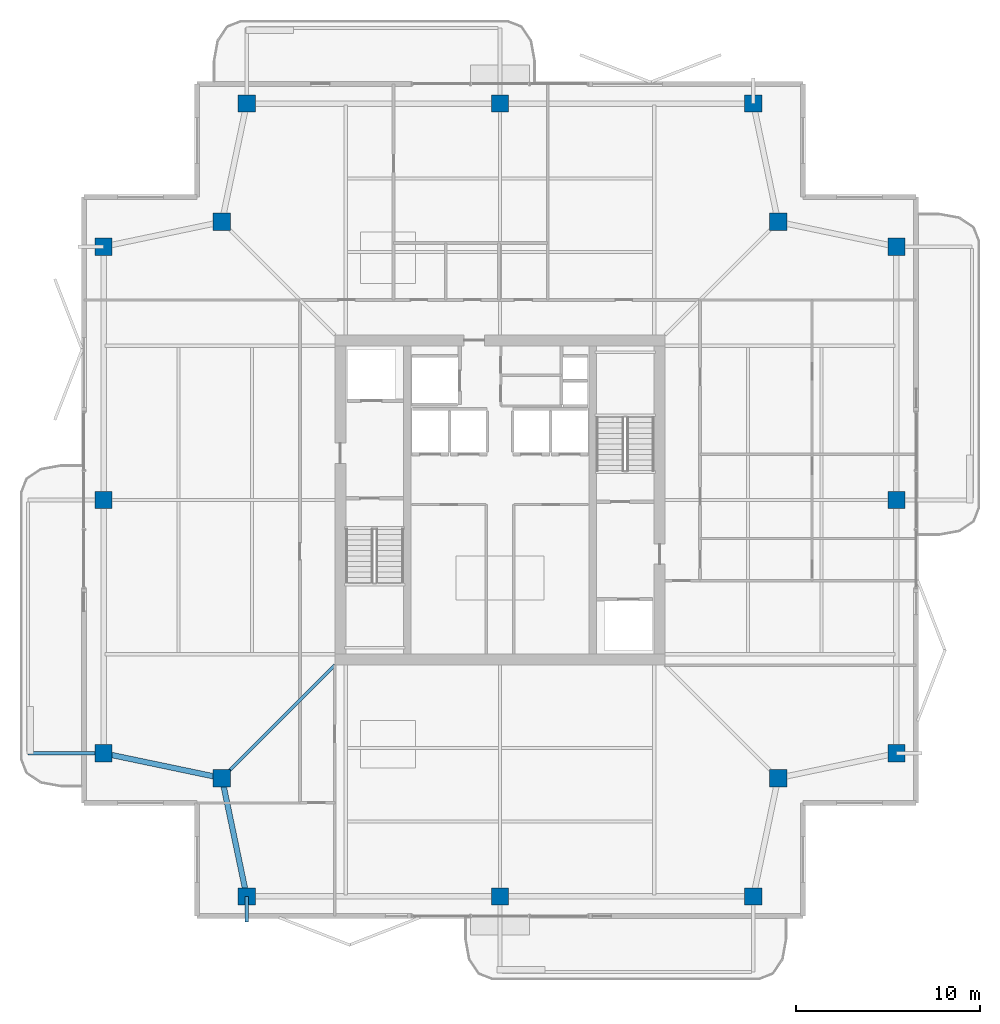
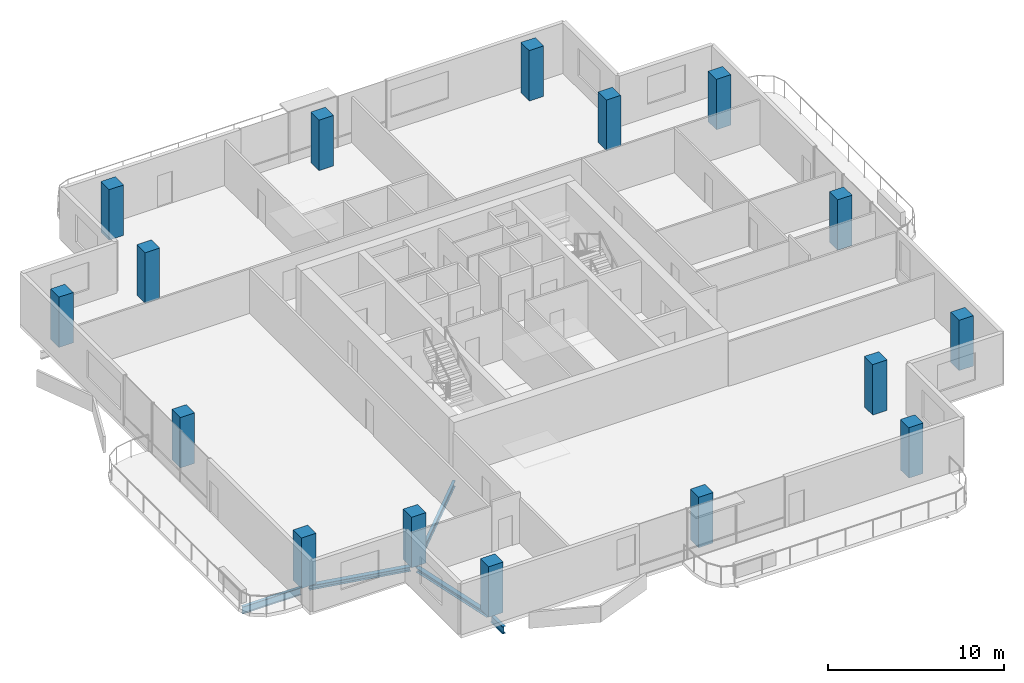
# One storey, part 1 of 18: 16 columns, 5 beams.
"""IFC4 building model written with IfcOpenShell, lengths in metres."""

from ifc_helpers import new_model, si_unit, direction, frame, origin, origin_2d, place, context, subcontext, project, spatial, rectangle, i_section, extrude, material, material_profile, profile_set, type_object, element, save


model = new_model("IFC4")

# Units and contexts
model_context = context("Model", 3, precision=1e-05, world=origin(), true_north=direction((0.0, 1.0)))
body_context = subcontext(model_context, "Body", "Model", "MODEL_VIEW")
ifc_project = project(units=[si_unit("LENGTHUNIT", "METRE"), si_unit("AREAUNIT", "SQUARE_METRE"), si_unit("VOLUMEUNIT", "CUBIC_METRE"), si_unit("PLANEANGLEUNIT", "RADIAN"), si_unit("MASSUNIT", "GRAM", prefix="KILO")], contexts=[model_context])

# Site, building, storey
site_placement = place(None, origin())
site = spatial("IfcSite", under=ifc_project, at=site_placement, CompositionType="ELEMENT")
building_placement = place(site_placement, origin())
building = spatial("IfcBuilding", under=site, at=building_placement, Name="Belovzor Exchange Tower", CompositionType="ELEMENT")
storey_placement = place(building_placement, frame((0.0, 0.0, 318.0)))
storey = spatial("IfcBuildingStorey", under=building, at=storey_placement, Name="L79", CompositionType="ELEMENT", Elevation=318.0)

# Columns
ifc_material_1 = material(Name="Concrete C50/60", Category="concrete")
ifc_material_profile_1 = material_profile(ifc_material_1, rectangle(XDim=0.949951171875, YDim=0.949951171875, at=origin_2d()))
ifc_profile_set_1 = profile_set([ifc_material_profile_1], Name="Concrete C50/60")
column_type = type_object("IfcColumnType", Name="Reinforced Concrete Tower Column 950x950", PredefinedType="COLUMN", material=ifc_profile_set_1)
for number, where, z_axis, x_axis, name in (
    (1, (15.0, 7.199951171875, 0.0029296875), (0.0, 0.0, 1.0), (1.0, 0.0, 0.0), "COL-T095 Reinforced Concrete Tower Column 950x950"),
    (2, (28.800048828125, 7.199951171875, 0.0029296875), (0.0, 0.0, 1.0), (1.0, 0.0, 0.0), "COL-T095 Reinforced Concrete Tower Column 950x950"),
    (3, (42.60009765625, 7.199951171875, 0.0029296875), (0.0, 0.0, 1.0), (1.0, 0.0, 0.0), "COL-T095 Reinforced Concrete Tower Column 950x950"),
    (4, (50.39990234375, 15.0, 0.0029296875), (0.0, 0.0, 1.0), (1.0, 0.0, 0.0), "COL-T095 Reinforced Concrete Tower Column 950x950"),
    (5, (50.39990234375, 28.800048828125, 0.0029296875), (0.0, 0.0, 1.0), (1.0, 0.0, 0.0), "COL-T095 Reinforced Concrete Tower Column 950x950"),
    (6, (50.39990234375, 42.60009765625, 0.0029296875), (0.0, 0.0, 1.0), (1.0, 0.0, 0.0), "COL-T095 Reinforced Concrete Tower Column 950x950"),
    (7, (42.60009765625, 50.39990234375, 0.0029296875), (0.0, 0.0, 1.0), (1.0, 0.0, 0.0), "COL-T095 Reinforced Concrete Tower Column 950x950"),
    (8, (28.800048828125, 50.39990234375, 0.0029296875), (0.0, 0.0, 1.0), (1.0, 0.0, 0.0), "COL-T095 Reinforced Concrete Tower Column 950x950"),
    (9, (15.0, 50.39990234375, 0.0029296875), (0.0, 0.0, 1.0), (1.0, 0.0, 0.0), "COL-T095 Reinforced Concrete Tower Column 950x950"),
    (10, (7.199951171875, 42.60009765625, 0.0029296875), (0.0, 0.0, 1.0), (1.0, 0.0, 0.0), "COL-T095 Reinforced Concrete Tower Column 950x950"),
    (11, (7.199951171875, 28.800048828125, 0.0029296875), (0.0, 0.0, 1.0), (1.0, 0.0, 0.0), "COL-T095 Reinforced Concrete Tower Column 950x950"),
    (12, (7.199951171875, 15.0, 0.0029296875), (0.0, 0.0, 1.0), (1.0, 0.0, 0.0), "COL-T095 Reinforced Concrete Tower Column 950x950"),
    (13, (13.64990234375, 13.64990234375, 0.0029296875), (0.0, 0.0, 1.0), (1.0, 0.0, 0.0), "COL-T095 Reinforced Concrete Tower Column 950x950"),
    (14, (43.949951171875, 13.64990234375, 0.0029296875), (0.0, 0.0, 1.0), (1.0, 0.0, 0.0), "COL-T095 Reinforced Concrete Tower Column 950x950"),
    (15, (43.949951171875, 43.949951171875, 0.0029296875), (0.0, 0.0, 1.0), (1.0, 0.0, 0.0), "COL-T095 Reinforced Concrete Tower Column 950x950"),
    (16, (13.64990234375, 43.949951171875, 0.0029296875), (0.0, 0.0, 1.0), (1.0, 0.0, 0.0), "COL-T095 Reinforced Concrete Tower Column 950x950"),
):
    element("IfcColumn", number, at=place(storey_placement, frame(where, z_axis=z_axis, x_axis=x_axis)), inside=storey, type_object=column_type, Name=name, PredefinedType="COLUMN", context=body_context, shape_type="SweptSolid", body=[
        extrude(rectangle(XDim=0.949951171875, YDim=0.949951171875, at=origin_2d()), origin(), (0.0, 0.0, 1.0), 3.504150390625),
    ])

# Beams
ifc_material_2 = material(Name="Steel S355", Category="steel")
ifc_material_profile_2 = material_profile(ifc_material_2, i_section(OverallWidth=0.199951171875, OverallDepth=0.5, WebThickness=0.01025390625, FlangeThickness=0.01611328125, at=origin_2d()))
ifc_profile_set_2 = profile_set([ifc_material_profile_2], Name="Steel S355")
beam_type_1 = type_object("IfcBeamType", Name="Planted Balcony Cantilever Beam IPE 500", PredefinedType="BEAM", material=ifc_profile_set_2)
beam_1_placement = place(storey_placement, frame((6.93896484375, 15.0, -0.489990234375), z_axis=(-1.0, 0.0, 0.0), x_axis=(0.0, -1.0, 0.0)))
element("IfcBeam", 17, at=beam_1_placement, inside=storey, type_object=beam_type_1, Name="BC-500 Planted Balcony Cantilever Beam IPE 500", PredefinedType="BEAM", context=body_context, shape_type="SweptSolid", body=[
    extrude(i_section(OverallWidth=0.199951171875, OverallDepth=0.5, WebThickness=0.01025390625, FlangeThickness=0.01611328125, at=origin_2d()), origin(), (0.0, 0.0, 1.0), 3.849853515625),
])
beam_2_placement = place(storey_placement, frame((15.0, 7.199951171875, -0.489990234375), z_axis=(0.0, -1.0, 0.0), x_axis=(1.0, 0.0, 0.0)))
element("IfcBeam", 18, at=beam_2_placement, inside=storey, type_object=beam_type_1, Name="BC-500 Planted Balcony Cantilever Beam IPE 500", PredefinedType="BEAM", context=body_context, shape_type="SweptSolid", body=[
    extrude(i_section(OverallWidth=0.199951171875, OverallDepth=0.5, WebThickness=0.01025390625, FlangeThickness=0.01611328125, at=origin_2d()), origin(), (0.0, 0.0, 1.0), 1.39990234375),
])
ifc_material_3 = material(Name="Steel S355", Category="steel")
ifc_material_profile_3 = material_profile(ifc_material_3, i_section(OverallWidth=0.179931640625, OverallDepth=0.39990234375, WebThickness=0.008544921875, FlangeThickness=0.013427734375, at=origin_2d()))
ifc_profile_set_3 = profile_set([ifc_material_profile_3], Name="Steel S355")
beam_type_2 = type_object("IfcBeamType", Name="Zone 5-6 Radial Composite Floor Beam IPE 400", PredefinedType="BEAM", material=ifc_profile_set_3)
beam_3_placement = place(storey_placement, frame((19.800048828125, 19.800048828125, -0.43994140625), z_axis=(-0.707106781187, -0.707106781187, 0.0), x_axis=(0.707106781187, -0.707106781187, 0.0)))
element("IfcBeam", 19, at=beam_3_placement, inside=storey, type_object=beam_type_2, Name="FB-400 Zone 5-6 Radial Composite Floor Beam IPE 400", PredefinedType="BEAM", context=body_context, shape_type="SweptSolid", body=[
    extrude(i_section(OverallWidth=0.179931640625, OverallDepth=0.39990234375, WebThickness=0.008544921875, FlangeThickness=0.013427734375, at=origin_2d()), origin(), (0.0, 0.0, 1.0), 8.361083984375),
])
ifc_material_4 = material(Name="Steel S355", Category="steel")
ifc_material_profile_4 = material_profile(ifc_material_4, i_section(OverallWidth=0.300048828125, OverallDepth=0.300048828125, WebThickness=0.008544921875, FlangeThickness=0.013916015625, at=origin_2d()))
ifc_profile_set_4 = profile_set([ifc_material_profile_4], Name="Steel S355")
beam_type_3 = type_object("IfcBeamType", Name="Zone 6 Primary Girder HEA 300", PredefinedType="BEAM", material=ifc_profile_set_4)
for number, where, z_axis, x_axis, name in (
    (20, (13.7041015625, 13.39404296875, -0.389892578125), (0.204722380619, -0.978820078908, 0.0), (0.978820078908, 0.204722380619, 0.0), "FG-Z6 Zone 6 Primary Girder HEA 300"),
    (21, (7.4560546875, 14.946044921875, -0.389892578125), (0.978820078908, -0.204722380619, 0.0), (0.204722380619, 0.978820078908, 0.0), "FG-Z6 Zone 6 Primary Girder HEA 300"),
):
    element("IfcBeam", number, at=place(storey_placement, frame(where, z_axis=z_axis, x_axis=x_axis)), inside=storey, type_object=beam_type_3, Name=name, PredefinedType="BEAM", context=body_context, shape_type="SweptSolid", body=[
        extrude(i_section(OverallWidth=0.300048828125, OverallDepth=0.300048828125, WebThickness=0.008544921875, FlangeThickness=0.013916015625, at=origin_2d()), origin(), (0.0, 0.0, 1.0), 6.06640625),
    ])

save(model, "model.ifc")
